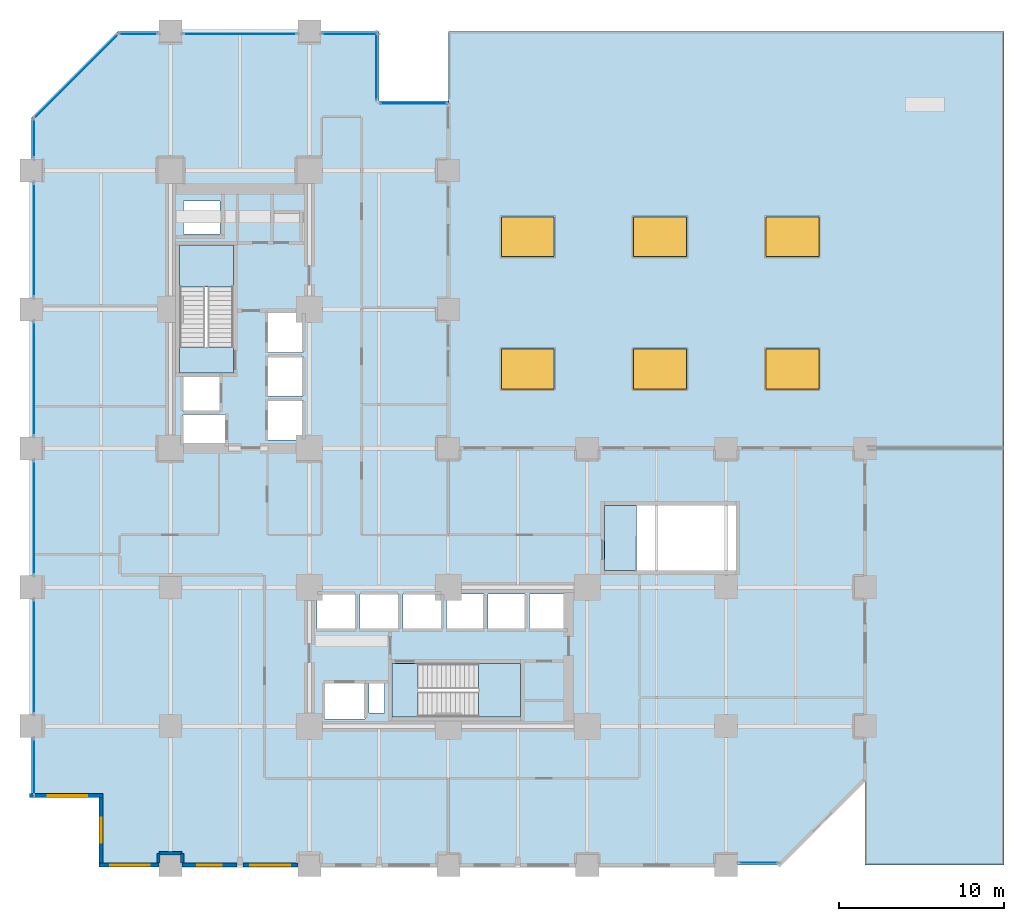
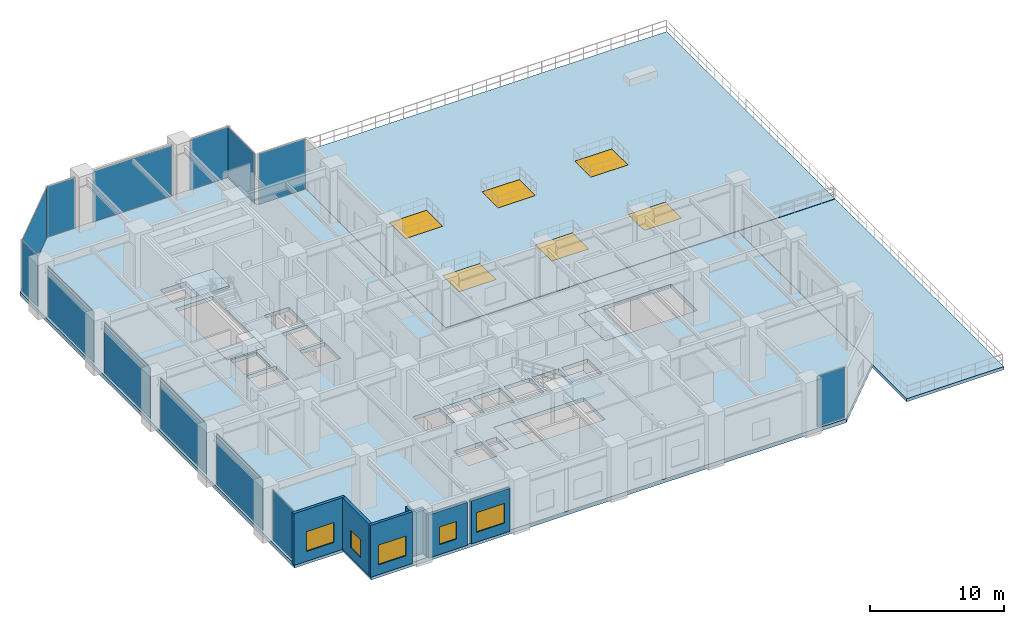
# One storey, part 12 of 21: 13 plates, 11 windows, 8 slabs, 8 walls, 11 openings, 15 elements without a shape of their own.
"""IFC4 building model written with IfcOpenShell, lengths in metres."""

from ifc_helpers import new_model, si_unit, direction, frame, frame_2d, origin, origin_2d, place, context, subcontext, project, spatial, polyline, rectangle, outline, extrude, material, layer, layer_set, type_object, element, fill, aggregate, save


model = new_model("IFC4")

# Units and contexts
model_context = context("Model", 3, precision=1e-05, world=origin(), true_north=direction((0.0, 1.0)))
body_context = subcontext(model_context, "Body", "Model", "MODEL_VIEW")
ifc_project = project(units=[si_unit("LENGTHUNIT", "METRE"), si_unit("AREAUNIT", "SQUARE_METRE"), si_unit("VOLUMEUNIT", "CUBIC_METRE"), si_unit("PLANEANGLEUNIT", "RADIAN"), si_unit("MASSUNIT", "GRAM", prefix="KILO")], contexts=[model_context])

# Site, building, storey
site_placement = place(None, origin())
site = spatial("IfcSite", under=ifc_project, at=site_placement, CompositionType="ELEMENT")
building_placement = place(site_placement, origin())
building = spatial("IfcBuilding", under=site, at=building_placement, Name="Nerrivon Quay Data Exchange", CompositionType="ELEMENT")
storey_placement = place(building_placement, frame((0.0, 0.0, 19.800048828125)))
storey = spatial("IfcBuildingStorey", under=building, at=storey_placement, Name="L04", CompositionType="ELEMENT", Elevation=19.800048828125)

# Curtain wall, plate
ifc_material_1 = material(Name="Anodised aluminium 6063-T6", Category="aluminium")
ifc_layer_1 = layer(ifc_material_1, 0.239990234375)
ifc_layer_set_1 = layer_set([ifc_layer_1], Name="Anodised aluminium 6063-T6")
curtain_wall_type = type_object("IfcCurtainWallType", Name="CW-SYS-03", PredefinedType="NOTDEFINED", material=ifc_layer_set_1)
curtain_wall_1_placement = place(storey_placement, origin())
curtain_wall_1 = element("IfcCurtainWall", 1, at=curtain_wall_1_placement, inside=storey, type_object=curtain_wall_type, Name="L04 Unitised Curtain Wall 2", PredefinedType="NOTDEFINED")
ifc_material_2 = material(Name="Double-glazed low-E solar control glass", Category="glass")
ifc_layer_2 = layer(ifc_material_2, 0.031982421875)
ifc_layer_set_2 = layer_set([ifc_layer_2], Name="Double-glazed low-E solar control glass")
plate_type = type_object("IfcPlateType", Name="CWP-GLZ-32", PredefinedType="CURTAIN_PANEL", material=ifc_layer_set_2)
plate_1_placement = place(storey_placement, frame((43.949951171875, 0.139892578125, 0.06494140625), z_axis=(0.0, 0.0, 1.0), x_axis=(-1.0, 0.0, 0.0)))
plate_1 = element("IfcPlate", 2, at=plate_1_placement, type_object=plate_type, Name="CW03 panel 1.1", PredefinedType="CURTAIN_PANEL", context=body_context, shape_type="SweptSolid", body=[
    extrude(rectangle(XDim=2.35009765625, YDim=0.028076171875, at=origin_2d()), origin(), (0.0, 0.0, 1.0), 4.594970703125),
])
aggregate(curtain_wall_1, [plate_1])

curtain_wall_2_placement = place(storey_placement, origin())
curtain_wall_2 = element("IfcCurtainWall", 3, at=curtain_wall_2_placement, inside=storey, type_object=curtain_wall_type, Name="L04 Unitised Curtain Wall 13", PredefinedType="NOTDEFINED")
plate_2_placement = place(storey_placement, frame((0.139892578125, 5.949951171875, 0.06494140625), z_axis=(0.0, 0.0, 1.0), x_axis=(0.0, 1.0, 0.0)))
plate_2 = element("IfcPlate", 4, at=plate_2_placement, type_object=plate_type, Name="CW03 panel 1.1", PredefinedType="CURTAIN_PANEL", context=body_context, shape_type="SweptSolid", body=[
    extrude(rectangle(XDim=3.35009765625, YDim=0.028076171875, at=origin_2d()), origin(), (0.0, 0.0, 1.0), 4.594970703125),
])
aggregate(curtain_wall_2, [plate_2])

curtain_wall_3_placement = place(storey_placement, origin())
curtain_wall_3 = element("IfcCurtainWall", 5, at=curtain_wall_3_placement, inside=storey, type_object=curtain_wall_type, Name="L04 Unitised Curtain Wall 14", PredefinedType="NOTDEFINED")
plate_3_placement = place(storey_placement, frame((0.139892578125, 12.60009765625, 0.06494140625), z_axis=(0.0, 0.0, 1.0), x_axis=(0.0, 1.0, 0.0)))
plate_3 = element("IfcPlate", 6, at=plate_3_placement, type_object=plate_type, Name="CW03 panel 1.1", PredefinedType="CURTAIN_PANEL", context=body_context, shape_type="SweptSolid", body=[
    extrude(rectangle(XDim=6.85009765625, YDim=0.028076171875, at=origin_2d()), origin(), (0.0, 0.0, 1.0), 4.594970703125),
])
aggregate(curtain_wall_3, [plate_3])

curtain_wall_4_placement = place(storey_placement, origin())
curtain_wall_4 = element("IfcCurtainWall", 7, at=curtain_wall_4_placement, inside=storey, type_object=curtain_wall_type, Name="L04 Unitised Curtain Wall 15", PredefinedType="NOTDEFINED")
plate_4_placement = place(storey_placement, frame((0.139892578125, 21.0, 0.06494140625), z_axis=(0.0, 0.0, 1.0), x_axis=(0.0, 1.0, 0.0)))
plate_4 = element("IfcPlate", 8, at=plate_4_placement, type_object=plate_type, Name="CW03 panel 1.1", PredefinedType="CURTAIN_PANEL", context=body_context, shape_type="SweptSolid", body=[
    extrude(rectangle(XDim=6.85009765625, YDim=0.028076171875, at=origin_2d()), origin(), (0.0, 0.0, 1.0), 4.594970703125),
])
aggregate(curtain_wall_4, [plate_4])

curtain_wall_5_placement = place(storey_placement, origin())
curtain_wall_5 = element("IfcCurtainWall", 9, at=curtain_wall_5_placement, inside=storey, type_object=curtain_wall_type, Name="L04 Unitised Curtain Wall 16", PredefinedType="NOTDEFINED")
plate_5_placement = place(storey_placement, frame((0.139892578125, 29.39990234375, 0.06494140625), z_axis=(0.0, 0.0, 1.0), x_axis=(0.0, 1.0, 0.0)))
plate_5 = element("IfcPlate", 10, at=plate_5_placement, type_object=plate_type, Name="CW03 panel 1.1", PredefinedType="CURTAIN_PANEL", context=body_context, shape_type="SweptSolid", body=[
    extrude(rectangle(XDim=6.85009765625, YDim=0.028076171875, at=origin_2d()), origin(), (0.0, 0.0, 1.0), 4.594970703125),
])
aggregate(curtain_wall_5, [plate_5])

curtain_wall_6_placement = place(storey_placement, origin())
curtain_wall_6 = element("IfcCurtainWall", 11, at=curtain_wall_6_placement, inside=storey, type_object=curtain_wall_type, Name="L04 Unitised Curtain Wall 17", PredefinedType="NOTDEFINED")
plate_6_placement = place(storey_placement, frame((0.139892578125, 37.800048828125, 0.06494140625), z_axis=(0.0, 0.0, 1.0), x_axis=(0.0, 1.0, 0.0)))
plate_6 = element("IfcPlate", 12, at=plate_6_placement, type_object=plate_type, Name="CW03 panel 1.1", PredefinedType="CURTAIN_PANEL", context=body_context, shape_type="SweptSolid", body=[
    extrude(rectangle(XDim=6.85009765625, YDim=0.028076171875, at=origin_2d()), origin(), (0.0, 0.0, 1.0), 4.594970703125),
])
aggregate(curtain_wall_6, [plate_6])

curtain_wall_7_placement = place(storey_placement, origin())
curtain_wall_7 = element("IfcCurtainWall", 13, at=curtain_wall_7_placement, inside=storey, type_object=curtain_wall_type, Name="L04 Unitised Curtain Wall 18", PredefinedType="NOTDEFINED")
plate_7_placement = place(storey_placement, frame((0.139892578125, 43.949951171875, 0.06494140625), z_axis=(0.0, 0.0, 1.0), x_axis=(0.0, 1.0, 0.0)))
plate_7 = element("IfcPlate", 14, at=plate_7_placement, type_object=plate_type, Name="CW03 panel 1.1", PredefinedType="CURTAIN_PANEL", context=body_context, shape_type="SweptSolid", body=[
    extrude(rectangle(XDim=2.35009765625, YDim=0.028076171875, at=origin_2d()), origin(), (0.0, 0.0, 1.0), 4.594970703125),
])
aggregate(curtain_wall_7, [plate_7])

curtain_wall_8_placement = place(storey_placement, origin())
curtain_wall_8 = element("IfcCurtainWall", 15, at=curtain_wall_8_placement, inside=storey, type_object=curtain_wall_type, Name="L04 Unitised Curtain Wall 19", PredefinedType="NOTDEFINED")
plate_8_placement = place(storey_placement, frame((2.698974609375, 47.700927734375, 0.06494140625), z_axis=(0.0, 0.0, 1.0), x_axis=(0.707106781187, 0.707106781187, 0.0)))
plate_8 = element("IfcPlate", 16, at=plate_8_placement, type_object=plate_type, Name="CW03 panel 1.1", PredefinedType="CURTAIN_PANEL", context=body_context, shape_type="SweptSolid", body=[
    extrude(rectangle(XDim=7.203857421875, YDim=0.028076171875, at=origin_2d()), origin(), (0.0, 0.0, 1.0), 4.594970703125),
])
aggregate(curtain_wall_8, [plate_8])

curtain_wall_9_placement = place(storey_placement, origin())
curtain_wall_9 = element("IfcCurtainWall", 17, at=curtain_wall_9_placement, inside=storey, type_object=curtain_wall_type, Name="L04 Unitised Curtain Wall 20", PredefinedType="NOTDEFINED")
plate_9_placement = place(storey_placement, frame((6.449951171875, 50.260009765625, 0.06494140625), z_axis=(0.0, 0.0, 1.0), x_axis=(1.0, 0.0, 0.0)))
plate_9 = element("IfcPlate", 18, at=plate_9_placement, type_object=plate_type, Name="CW03 panel 1.1", PredefinedType="CURTAIN_PANEL", context=body_context, shape_type="SweptSolid", body=[
    extrude(rectangle(XDim=2.35009765625, YDim=0.028076171875, at=origin_2d()), origin(), (0.0, 0.0, 1.0), 4.594970703125),
])
aggregate(curtain_wall_9, [plate_9])

curtain_wall_10_placement = place(storey_placement, origin())
curtain_wall_10 = element("IfcCurtainWall", 19, at=curtain_wall_10_placement, inside=storey, type_object=curtain_wall_type, Name="L04 Unitised Curtain Wall 21", PredefinedType="NOTDEFINED")
plate_10_placement = place(storey_placement, frame((12.60009765625, 50.260009765625, 0.06494140625), z_axis=(0.0, 0.0, 1.0), x_axis=(1.0, 0.0, 0.0)))
plate_10 = element("IfcPlate", 20, at=plate_10_placement, type_object=plate_type, Name="CW03 panel 1.1", PredefinedType="CURTAIN_PANEL", context=body_context, shape_type="SweptSolid", body=[
    extrude(rectangle(XDim=6.85009765625, YDim=0.028076171875, at=origin_2d()), origin(), (0.0, 0.0, 1.0), 4.594970703125),
])
aggregate(curtain_wall_10, [plate_10])

curtain_wall_11_placement = place(storey_placement, origin())
curtain_wall_11 = element("IfcCurtainWall", 21, at=curtain_wall_11_placement, inside=storey, type_object=curtain_wall_type, Name="L04 Unitised Curtain Wall 22", PredefinedType="NOTDEFINED")
plate_11_placement = place(storey_placement, frame((19.25, 50.260009765625, 0.06494140625), z_axis=(0.0, 0.0, 1.0), x_axis=(1.0, 0.0, 0.0)))
plate_11 = element("IfcPlate", 22, at=plate_11_placement, type_object=plate_type, Name="CW03 panel 1.1", PredefinedType="CURTAIN_PANEL", context=body_context, shape_type="SweptSolid", body=[
    extrude(rectangle(XDim=3.35009765625, YDim=0.028076171875, at=origin_2d()), origin(), (0.0, 0.0, 1.0), 4.594970703125),
])
aggregate(curtain_wall_11, [plate_11])

curtain_wall_12_placement = place(storey_placement, origin())
curtain_wall_12 = element("IfcCurtainWall", 23, at=curtain_wall_12_placement, inside=storey, type_object=curtain_wall_type, Name="L04 Unitised Curtain Wall 23", PredefinedType="NOTDEFINED")
plate_12_placement = place(storey_placement, frame((20.860107421875, 48.300048828125, 0.06494140625), z_axis=(0.0, 0.0, 1.0), x_axis=(0.0, -1.0, 0.0)))
plate_12 = element("IfcPlate", 24, at=plate_12_placement, type_object=plate_type, Name="CW03 panel 1.1", PredefinedType="CURTAIN_PANEL", context=body_context, shape_type="SweptSolid", body=[
    extrude(rectangle(XDim=4.050048828125, YDim=0.028076171875, at=origin_2d()), origin(), (0.0, 0.0, 1.0), 4.594970703125),
])
aggregate(curtain_wall_12, [plate_12])

curtain_wall_13_placement = place(storey_placement, origin())
curtain_wall_13 = element("IfcCurtainWall", 25, at=curtain_wall_13_placement, inside=storey, type_object=curtain_wall_type, Name="L04 Unitised Curtain Wall 24", PredefinedType="NOTDEFINED")
plate_13_placement = place(storey_placement, frame((23.10009765625, 46.06005859375, 0.06494140625), z_axis=(0.0, 0.0, 1.0), x_axis=(1.0, 0.0, 0.0)))
plate_13 = element("IfcPlate", 26, at=plate_13_placement, type_object=plate_type, Name="CW03 panel 1.1", PredefinedType="CURTAIN_PANEL", context=body_context, shape_type="SweptSolid", body=[
    extrude(rectangle(XDim=4.050048828125, YDim=0.028076171875, at=origin_2d()), origin(), (0.0, 0.0, 1.0), 4.594970703125),
])
aggregate(curtain_wall_13, [plate_13])

# Stair, slab
ifc_material_3 = material(Name="Concrete N50 (50 MPa)", Category="concrete")
stair_type = type_object("IfcStairType", Name="STAIR-DOG-50", PredefinedType="HALF_TURN_STAIR", material=ifc_material_3)
stair_1_placement = place(storey_placement, origin())
stair_1 = element("IfcStair", 27, at=stair_1_placement, inside=storey, type_object=stair_type, Name="L04 West Core Fire Stair ST01", PredefinedType="HALF_TURN_STAIR")
ifc_layer_3 = layer(ifc_material_3, 0.199951171875)
ifc_layer_set_3 = layer_set([ifc_layer_3], Name="Concrete N50 (50 MPa)")
slab_type_1 = type_object("IfcSlabType", Name="SLB-LAND-200", PredefinedType="LANDING", material=ifc_layer_set_3)
slab_1_placement = place(storey_placement, frame((0.0, 0.0, 2.300048828125)))
slab_1 = element("IfcSlab", 28, at=slab_1_placement, type_object=slab_type_1, Name="ST01 landing 1", PredefinedType="LANDING", context=body_context, shape_type="SweptSolid", body=[
    extrude(outline(polyline([(12.199951171875, 34.969970703125), (12.199951171875, 37.5), (8.949951171875, 37.5), (8.949951171875, 34.969970703125), (12.199951171875, 34.969970703125)])), origin(), (0.0, 0.0, 1.0), 0.199951171875),
])
aggregate(stair_1, [slab_1])

# Slab
slab_2_placement = place(storey_placement, frame((0.0, 0.0, -0.199951171875)))
element("IfcSlab", 29, at=slab_2_placement, inside=storey, type_object=slab_type_1, Name="L04 ST01 floor landing", PredefinedType="LANDING", context=body_context, shape_type="SweptSolid", body=[
    extrude(outline(polyline([(12.199951171875, 29.75), (12.199951171875, 31.330078125), (8.949951171875, 31.330078125), (8.949951171875, 29.75), (12.199951171875, 29.75)])), origin(), (0.0, 0.0, 1.0), 0.199951171875),
])

# Stair, slab
stair_2_placement = place(storey_placement, origin())
stair_2 = element("IfcStair", 30, at=stair_2_placement, inside=storey, type_object=stair_type, Name="L04 East Core Fire Stair ST02", PredefinedType="HALF_TURN_STAIR")
slab_3_placement = place(storey_placement, frame((0.0, 0.0, 2.300048828125)))
slab_3 = element("IfcSlab", 31, at=slab_3_placement, type_object=slab_type_1, Name="ST02 landing 1", PredefinedType="LANDING", context=body_context, shape_type="SweptSolid", body=[
    extrude(outline(polyline([(27.02001953125, 8.949951171875), (29.550048828125, 8.949951171875), (29.550048828125, 12.199951171875), (27.02001953125, 12.199951171875), (27.02001953125, 8.949951171875)])), origin(), (0.0, 0.0, 1.0), 0.199951171875),
])
aggregate(stair_2, [slab_3])

# Slabs
slab_4_placement = place(storey_placement, frame((0.0, 0.0, -0.199951171875)))
element("IfcSlab", 32, at=slab_4_placement, inside=storey, type_object=slab_type_1, Name="L04 ST02 floor landing", PredefinedType="LANDING", context=body_context, shape_type="SweptSolid", body=[
    extrude(outline(polyline([(21.800048828125, 8.949951171875), (23.3798828125, 8.949951171875), (23.3798828125, 12.199951171875), (21.800048828125, 12.199951171875), (21.800048828125, 8.949951171875)])), origin(), (0.0, 0.0, 1.0), 0.199951171875),
])
slab_5_placement = place(storey_placement, frame((0.0, 0.0, -0.199951171875)))
element("IfcSlab", 33, at=slab_5_placement, inside=storey, type_object=slab_type_1, Name="L04 ST03 floor landing", PredefinedType="LANDING", context=body_context, shape_type="SweptSolid", body=[
    extrude(outline(polyline([(34.64990234375, 17.800048828125), (36.570068359375, 17.800048828125), (36.570068359375, 21.75), (34.64990234375, 21.75), (34.64990234375, 17.800048828125)])), origin(), (0.0, 0.0, 1.0), 0.199951171875),
])

# Slab, openings, windows
ifc_layer_4 = layer(ifc_material_3, 0.280029296875)
ifc_layer_set_4 = layer_set([ifc_layer_4], Name="Concrete N50 (50 MPa)")
slab_type_2 = type_object("IfcSlabType", Name="SLB-TERR-280", PredefinedType="FLOOR", material=ifc_layer_set_4)
slab_6_placement = place(storey_placement, frame((0.0, 0.0, -0.280029296875)))
slab_6 = element("IfcSlab", 34, at=slab_6_placement, inside=storey, type_object=slab_type_2, Name="Podium Sky-Garden Terrace 1", PredefinedType="FLOOR", context=body_context, shape_type="SweptSolid", body=[
    extrude(outline(polyline([(58.800048828125, 25.239990234375), (58.800048828125, 50.39990234375), (25.199951171875, 50.39990234375), (25.199951171875, 25.239990234375), (58.800048828125, 25.239990234375)])), origin(), (0.0, 0.0, 1.0), 0.280029296875),
])
opening_1_placement = place(slab_6_placement, frame((30.0, 30.0, -0.010009765625)))
opening_1 = element("IfcOpeningElement", 35, at=opening_1_placement, cuts=slab_6, Name="Opening SK1", PredefinedType="OPENING", context=body_context, shape_type="SweptSolid", body=[
    extrude(rectangle(XDim=3.199951171875, YDim=2.39990234375, at=origin_2d()), origin(), (0.0, 0.0, 1.0), 0.300048828125),
])
opening_2_placement = place(slab_6_placement, frame((38.0, 30.0, -0.010009765625)))
opening_2 = element("IfcOpeningElement", 36, at=opening_2_placement, cuts=slab_6, Name="Opening SK1", PredefinedType="OPENING", context=body_context, shape_type="SweptSolid", body=[
    extrude(rectangle(XDim=3.199951171875, YDim=2.39990234375, at=origin_2d()), origin(), (0.0, 0.0, 1.0), 0.300048828125),
])
opening_3_placement = place(slab_6_placement, frame((46.0, 30.0, -0.010009765625)))
opening_3 = element("IfcOpeningElement", 37, at=opening_3_placement, cuts=slab_6, Name="Opening SK1", PredefinedType="OPENING", context=body_context, shape_type="SweptSolid", body=[
    extrude(rectangle(XDim=3.199951171875, YDim=2.39990234375, at=origin_2d()), origin(), (0.0, 0.0, 1.0), 0.300048828125),
])
opening_4_placement = place(slab_6_placement, frame((30.0, 38.0, -0.010009765625)))
opening_4 = element("IfcOpeningElement", 38, at=opening_4_placement, cuts=slab_6, Name="Opening SK1", PredefinedType="OPENING", context=body_context, shape_type="SweptSolid", body=[
    extrude(rectangle(XDim=3.199951171875, YDim=2.39990234375, at=origin_2d()), origin(), (0.0, 0.0, 1.0), 0.300048828125),
])
opening_5_placement = place(slab_6_placement, frame((38.0, 38.0, -0.010009765625)))
opening_5 = element("IfcOpeningElement", 39, at=opening_5_placement, cuts=slab_6, Name="Opening SK1", PredefinedType="OPENING", context=body_context, shape_type="SweptSolid", body=[
    extrude(rectangle(XDim=3.199951171875, YDim=2.39990234375, at=origin_2d()), origin(), (0.0, 0.0, 1.0), 0.300048828125),
])
opening_6_placement = place(slab_6_placement, frame((46.0, 38.0, -0.010009765625)))
opening_6 = element("IfcOpeningElement", 40, at=opening_6_placement, cuts=slab_6, Name="Opening SK1", PredefinedType="OPENING", context=body_context, shape_type="SweptSolid", body=[
    extrude(rectangle(XDim=3.199951171875, YDim=2.39990234375, at=origin_2d()), origin(), (0.0, 0.0, 1.0), 0.300048828125),
])
window_type_1 = type_object("IfcWindowType", Name="SKY-S1-3200x2400", PartitioningType="SINGLE_PANEL", PredefinedType="SKYLIGHT", material=ifc_material_2)
window_1_placement = place(opening_1_placement, frame((0.0, 0.0, 0.239990234375)))
window_1 = element("IfcWindow", 41, at=window_1_placement, inside=storey, type_object=window_type_1, Name="Podium Exchange Atrium Skylight SK1-1", OverallHeight=2.39990234375, OverallWidth=3.199951171875, PartitioningType="SINGLE_PANEL", PredefinedType="SKYLIGHT", context=body_context, shape_type="SweptSolid", body=[
    extrude(rectangle(XDim=3.199951171875, YDim=2.39990234375, at=origin_2d()), origin(), (0.0, 0.0, 1.0), 0.050048828125),
])
fill(opening_1, window_1)
window_2_placement = place(opening_2_placement, frame((0.0, 0.0, 0.239990234375)))
window_2 = element("IfcWindow", 42, at=window_2_placement, inside=storey, type_object=window_type_1, Name="Podium Exchange Atrium Skylight SK1-2", OverallHeight=2.39990234375, OverallWidth=3.199951171875, PartitioningType="SINGLE_PANEL", PredefinedType="SKYLIGHT", context=body_context, shape_type="SweptSolid", body=[
    extrude(rectangle(XDim=3.199951171875, YDim=2.39990234375, at=origin_2d()), origin(), (0.0, 0.0, 1.0), 0.050048828125),
])
fill(opening_2, window_2)
window_3_placement = place(opening_3_placement, frame((0.0, 0.0, 0.239990234375)))
window_3 = element("IfcWindow", 43, at=window_3_placement, inside=storey, type_object=window_type_1, Name="Podium Exchange Atrium Skylight SK1-3", OverallHeight=2.39990234375, OverallWidth=3.199951171875, PartitioningType="SINGLE_PANEL", PredefinedType="SKYLIGHT", context=body_context, shape_type="SweptSolid", body=[
    extrude(rectangle(XDim=3.199951171875, YDim=2.39990234375, at=origin_2d()), origin(), (0.0, 0.0, 1.0), 0.050048828125),
])
fill(opening_3, window_3)
window_4_placement = place(opening_4_placement, frame((0.0, 0.0, 0.239990234375)))
window_4 = element("IfcWindow", 44, at=window_4_placement, inside=storey, type_object=window_type_1, Name="Podium Exchange Atrium Skylight SK1-4", OverallHeight=2.39990234375, OverallWidth=3.199951171875, PartitioningType="SINGLE_PANEL", PredefinedType="SKYLIGHT", context=body_context, shape_type="SweptSolid", body=[
    extrude(rectangle(XDim=3.199951171875, YDim=2.39990234375, at=origin_2d()), origin(), (0.0, 0.0, 1.0), 0.050048828125),
])
fill(opening_4, window_4)
window_5_placement = place(opening_5_placement, frame((0.0, 0.0, 0.239990234375)))
window_5 = element("IfcWindow", 45, at=window_5_placement, inside=storey, type_object=window_type_1, Name="Podium Exchange Atrium Skylight SK1-5", OverallHeight=2.39990234375, OverallWidth=3.199951171875, PartitioningType="SINGLE_PANEL", PredefinedType="SKYLIGHT", context=body_context, shape_type="SweptSolid", body=[
    extrude(rectangle(XDim=3.199951171875, YDim=2.39990234375, at=origin_2d()), origin(), (0.0, 0.0, 1.0), 0.050048828125),
])
fill(opening_5, window_5)
window_6_placement = place(opening_6_placement, frame((0.0, 0.0, 0.239990234375)))
window_6 = element("IfcWindow", 46, at=window_6_placement, inside=storey, type_object=window_type_1, Name="Podium Exchange Atrium Skylight SK1-6", OverallHeight=2.39990234375, OverallWidth=3.199951171875, PartitioningType="SINGLE_PANEL", PredefinedType="SKYLIGHT", context=body_context, shape_type="SweptSolid", body=[
    extrude(rectangle(XDim=3.199951171875, YDim=2.39990234375, at=origin_2d()), origin(), (0.0, 0.0, 1.0), 0.050048828125),
])
fill(opening_6, window_6)

# Slabs
slab_7_placement = place(storey_placement, frame((0.0, 0.0, -0.280029296875)))
element("IfcSlab", 47, at=slab_7_placement, inside=storey, type_object=slab_type_2, Name="Podium Sky-Garden Terrace 2", PredefinedType="FLOOR", context=body_context, shape_type="SweptSolid", body=[
    extrude(outline(polyline([(58.800048828125, 0.0), (58.800048828125, 25.199951171875), (50.39990234375, 25.199951171875), (50.39990234375, 0.0), (58.800048828125, 0.0)])), origin(), (0.0, 0.0, 1.0), 0.280029296875),
])
ifc_material_4 = material(Name="Concrete S65 (65 MPa)", Category="concrete")
ifc_layer_5 = layer(ifc_material_4, 0.35009765625)
ifc_layer_set_5 = layer_set([ifc_layer_5], Name="Concrete S65 (65 MPa)")
slab_type_3 = type_object("IfcSlabType", Name="SLB-TRANS-350", PredefinedType="FLOOR", material=ifc_layer_set_5)
slab_8_placement = place(storey_placement, frame((0.0, 0.0, -0.35009765625)))
element("IfcSlab", 48, at=slab_8_placement, inside=storey, type_object=slab_type_3, Name="L04 Primary Structural Slab", PredefinedType="FLOOR", context=body_context, shape_type="SweptSolid", body=[
    extrude(outline(polyline([(50.39990234375, 25.199951171875), (25.199951171875, 25.199951171875), (25.199951171875, 46.199951171875), (21.0, 46.199951171875), (21.0, 50.39990234375), (5.199951171875, 50.39990234375), (0.0, 45.199951171875), (0.0, 4.199951171875), (4.199951171875, 4.199951171875), (4.199951171875, 0.0), (45.199951171875, 0.0), (50.39990234375, 5.199951171875), (50.39990234375, 25.199951171875)]), holes=[polyline([(8.949951171875, 29.75), (8.949951171875, 37.5), (12.199951171875, 37.5), (12.199951171875, 29.75), (8.949951171875, 29.75)]), polyline([(21.800048828125, 12.199951171875), (29.550048828125, 12.199951171875), (29.550048828125, 8.949951171875), (21.800048828125, 8.949951171875), (21.800048828125, 12.199951171875)]), polyline([(34.64990234375, 21.75), (42.60009765625, 21.75), (42.60009765625, 17.800048828125), (34.64990234375, 17.800048828125), (34.64990234375, 21.75)]), polyline([(30.10009765625, 16.39990234375), (32.35009765625, 16.39990234375), (32.35009765625, 14.25), (30.10009765625, 14.25), (30.10009765625, 16.39990234375)]), polyline([(27.60009765625, 16.39990234375), (29.85009765625, 16.39990234375), (29.85009765625, 14.25), (27.60009765625, 14.25), (27.60009765625, 16.39990234375)]), polyline([(25.10009765625, 16.39990234375), (27.35009765625, 16.39990234375), (27.35009765625, 14.25), (25.10009765625, 14.25), (25.10009765625, 16.39990234375)]), polyline([(22.449951171875, 16.39990234375), (24.800048828125, 16.39990234375), (24.800048828125, 14.25), (22.449951171875, 14.25), (22.449951171875, 16.39990234375)]), polyline([(19.85009765625, 16.39990234375), (22.199951171875, 16.39990234375), (22.199951171875, 14.25), (19.85009765625, 14.25), (19.85009765625, 16.39990234375)]), polyline([(20.39990234375, 11.0), (21.35009765625, 11.0), (21.35009765625, 9.199951171875), (20.39990234375, 9.199951171875), (20.39990234375, 11.0)]), polyline([(17.699951171875, 8.830078125), (17.699951171875, 11.030029296875), (20.14990234375, 11.030029296875), (20.14990234375, 8.830078125), (17.699951171875, 8.830078125)]), polyline([(17.25, 14.25), (17.25, 16.39990234375), (19.60009765625, 16.39990234375), (19.60009765625, 14.25), (17.25, 14.25)]), polyline([(14.25, 28.10009765625), (16.39990234375, 28.10009765625), (16.39990234375, 25.699951171875), (14.25, 25.699951171875), (14.25, 28.10009765625)]), polyline([(14.25, 30.75), (16.39990234375, 30.75), (16.39990234375, 28.35009765625), (14.25, 28.35009765625), (14.25, 30.75)]), polyline([(14.25, 33.39990234375), (16.39990234375, 33.39990234375), (16.39990234375, 31.0), (14.25, 31.0), (14.25, 33.39990234375)]), polyline([(9.14990234375, 27.25), (11.75, 27.25), (11.75, 25.35009765625), (9.14990234375, 25.35009765625), (9.14990234375, 27.25)]), polyline([(9.14990234375, 29.60009765625), (11.39990234375, 29.60009765625), (11.39990234375, 27.449951171875), (9.14990234375, 27.449951171875), (9.14990234375, 29.60009765625)]), polyline([(9.199951171875, 40.14990234375), (11.39990234375, 40.14990234375), (11.39990234375, 38.14990234375), (9.199951171875, 38.14990234375), (9.199951171875, 40.14990234375)])]), origin(), (0.0, 0.0, 1.0), 0.35009765625),
])

# Wall, opening, window
ifc_material_5 = material(Name="Architectural terracotta precast concrete N50 (50 MPa)", Category="masonry")
ifc_layer_6 = layer(ifc_material_5, 0.239990234375)
ifc_layer_set_6 = layer_set([ifc_layer_6], Name="Architectural terracotta precast concrete N50 (50 MPa)")
wall_type_1 = type_object("IfcWallType", Name="EW-PREC-240", PredefinedType="STANDARD", material=ifc_layer_set_6)
wall_1_placement = place(storey_placement, frame((16.10009765625, 0.0, 0.0), z_axis=(0.0, 0.0, 1.0), x_axis=(-1.0, 0.0, 0.0)))
wall_1 = element("IfcWall", 49, at=wall_1_placement, inside=storey, type_object=wall_type_1, Name="L04 Podium Precast Spandrel Wall 8", PredefinedType="STANDARD", context=body_context, shape_type="SweptSolid", body=[
    extrude(rectangle(XDim=3.3251953125, YDim=0.239990234375, at=frame_2d((1.66259765625, 0.0))), origin(), (0.0, 0.0, 1.0), 3.925048828125),
])
opening_7_placement = place(wall_1_placement, frame((0.46240234375, 0.0, 0.89990234375)))
opening_7 = element("IfcOpeningElement", 50, at=opening_7_placement, cuts=wall_1, Name="Opening WN1", PredefinedType="OPENING", context=body_context, shape_type="SweptSolid", body=[
    extrude(rectangle(XDim=2.39990234375, YDim=1.800048828125, at=frame_2d((1.199951171875, 0.89990234375))), frame((0.0, 0.1298828125, 0.0), z_axis=(0.0, -1.0, 0.0), x_axis=(1.0, 0.0, 0.0)), (0.0, 0.0, 1.0), 0.260009765625),
])
window_type_2 = type_object("IfcWindowType", Name="WIN-W1-2400x1800", PartitioningType="SINGLE_PANEL", PredefinedType="WINDOW", material=ifc_material_2)
window_7_placement = place(opening_7_placement, origin())
window_7 = element("IfcWindow", 51, at=window_7_placement, inside=storey, type_object=window_type_2, Name="L04 Solar Facade Window 8", OverallHeight=1.800048828125, OverallWidth=2.39990234375, PartitioningType="SINGLE_PANEL", PredefinedType="WINDOW", context=body_context, shape_type="SweptSolid", body=[
    extrude(rectangle(XDim=2.39990234375, YDim=1.800048828125, at=frame_2d((1.199951171875, 0.89990234375))), frame((0.0, 0.030029296875, 0.0), z_axis=(0.0, -1.0, 0.0), x_axis=(1.0, 0.0, 0.0)), (0.0, 0.0, 1.0), 0.06005859375),
])
fill(opening_7, window_7)

wall_2_placement = place(storey_placement, frame((12.425048828125, 0.0, 0.0), z_axis=(0.0, 0.0, 1.0), x_axis=(-1.0, 0.0, 0.0)))
wall_2 = element("IfcWall", 52, at=wall_2_placement, inside=storey, type_object=wall_type_1, Name="L04 Podium Precast Spandrel Wall 9", PredefinedType="STANDARD", context=body_context, shape_type="SweptSolid", body=[
    extrude(rectangle(XDim=3.324951171875, YDim=0.239990234375, at=frame_2d((1.66259765625, 0.0))), origin(), (0.0, 0.0, 1.0), 3.925048828125),
])
opening_8_placement = place(wall_2_placement, frame((0.91259765625, 0.0, 0.89990234375)))
opening_8 = element("IfcOpeningElement", 53, at=opening_8_placement, cuts=wall_2, Name="Opening WN4", PredefinedType="OPENING", context=body_context, shape_type="SweptSolid", body=[
    extrude(rectangle(XDim=1.5, YDim=1.60009765625, at=frame_2d((0.75, 0.800048828125))), frame((0.0, 0.1298828125, 0.0), z_axis=(0.0, -1.0, 0.0), x_axis=(1.0, 0.0, 0.0)), (0.0, 0.0, 1.0), 0.260009765625),
])
window_type_3 = type_object("IfcWindowType", Name="WIN-W4-1500x1600", PartitioningType="SINGLE_PANEL", PredefinedType="WINDOW", material=ifc_material_2)
window_8_placement = place(opening_8_placement, origin())
window_8 = element("IfcWindow", 54, at=window_8_placement, inside=storey, type_object=window_type_3, Name="L04 Solar Facade Window 9", OverallHeight=1.60009765625, OverallWidth=1.5, PartitioningType="SINGLE_PANEL", PredefinedType="WINDOW", context=body_context, shape_type="SweptSolid", body=[
    extrude(rectangle(XDim=1.5, YDim=1.60009765625, at=frame_2d((0.75, 0.800048828125))), frame((0.0, 0.030029296875, 0.0), z_axis=(0.0, -1.0, 0.0), x_axis=(1.0, 0.0, 0.0)), (0.0, 0.0, 1.0), 0.06005859375),
])
fill(opening_8, window_8)

wall_3_placement = place(storey_placement, frame((7.699951171875, 0.0, 0.0), z_axis=(0.0, 0.0, 1.0), x_axis=(-1.0, 0.0, 0.0)))
wall_3 = element("IfcWall", 55, at=wall_3_placement, inside=storey, type_object=wall_type_1, Name="L04 Podium Precast Spandrel Wall 10", PredefinedType="STANDARD", context=body_context, shape_type="SweptSolid", body=[
    extrude(rectangle(XDim=3.619873046875, YDim=0.239990234375, at=frame_2d((1.81005859375, 0.0))), origin(), (0.0, 0.0, 1.0), 4.724853515625),
])
opening_9_placement = place(wall_3_placement, frame((0.544921875, 0.0, 0.89990234375)))
opening_9 = element("IfcOpeningElement", 56, at=opening_9_placement, cuts=wall_3, Name="Opening WN1", PredefinedType="OPENING", context=body_context, shape_type="SweptSolid", body=[
    extrude(rectangle(XDim=2.39990234375, YDim=1.800048828125, at=frame_2d((1.199951171875, 0.89990234375))), frame((0.0, 0.1298828125, 0.0), z_axis=(0.0, -1.0, 0.0), x_axis=(1.0, 0.0, 0.0)), (0.0, 0.0, 1.0), 0.260009765625),
])
window_9_placement = place(opening_9_placement, origin())
window_9 = element("IfcWindow", 57, at=window_9_placement, inside=storey, type_object=window_type_2, Name="L04 Solar Facade Window 10", OverallHeight=1.800048828125, OverallWidth=2.39990234375, PartitioningType="SINGLE_PANEL", PredefinedType="WINDOW", context=body_context, shape_type="SweptSolid", body=[
    extrude(rectangle(XDim=2.39990234375, YDim=1.800048828125, at=frame_2d((1.199951171875, 0.89990234375))), frame((0.0, 0.030029296875, 0.0), z_axis=(0.0, -1.0, 0.0), x_axis=(1.0, 0.0, 0.0)), (0.0, 0.0, 1.0), 0.06005859375),
])
fill(opening_9, window_9)

wall_4_placement = place(storey_placement, frame((4.199951171875, 0.1201171875, 0.0), z_axis=(0.0, 0.0, 1.0), x_axis=(0.0, 1.0, 0.0)))
wall_4 = element("IfcWall", 58, at=wall_4_placement, inside=storey, type_object=wall_type_1, Name="L04 Podium Precast Spandrel Wall 11", PredefinedType="STANDARD", context=body_context, shape_type="SweptSolid", body=[
    extrude(rectangle(XDim=3.9599609375, YDim=0.239990234375, at=frame_2d((1.97998046875, 0.0))), origin(), (0.0, 0.0, 1.0), 4.724853515625),
])
opening_10_placement = place(wall_4_placement, frame((1.22998046875, 0.0, 0.89990234375)))
opening_10 = element("IfcOpeningElement", 59, at=opening_10_placement, cuts=wall_4, Name="Opening WN4", PredefinedType="OPENING", context=body_context, shape_type="SweptSolid", body=[
    extrude(rectangle(XDim=1.5, YDim=1.60009765625, at=frame_2d((0.75, 0.800048828125))), frame((0.0, 0.1298828125, 0.0), z_axis=(0.0, -1.0, 0.0), x_axis=(1.0, 0.0, 0.0)), (0.0, 0.0, 1.0), 0.260009765625),
])
window_10_placement = place(opening_10_placement, origin())
window_10 = element("IfcWindow", 60, at=window_10_placement, inside=storey, type_object=window_type_3, Name="L04 Solar Facade Window 11", OverallHeight=1.60009765625, OverallWidth=1.5, PartitioningType="SINGLE_PANEL", PredefinedType="WINDOW", context=body_context, shape_type="SweptSolid", body=[
    extrude(rectangle(XDim=1.5, YDim=1.60009765625, at=frame_2d((0.75, 0.800048828125))), frame((0.0, 0.030029296875, 0.0), z_axis=(0.0, -1.0, 0.0), x_axis=(1.0, 0.0, 0.0)), (0.0, 0.0, 1.0), 0.06005859375),
])
fill(opening_10, window_10)

wall_5_placement = place(storey_placement, frame((4.320068359375, 4.199951171875, 0.0), z_axis=(0.0, 0.0, 1.0), x_axis=(-1.0, 0.0, 0.0)))
wall_5 = element("IfcWall", 61, at=wall_5_placement, inside=storey, type_object=wall_type_1, Name="L04 Podium Precast Spandrel Wall 12", PredefinedType="STANDARD", context=body_context, shape_type="SweptSolid", body=[
    extrude(rectangle(XDim=4.440185546875, YDim=0.239990234375, at=frame_2d((2.22021484375, 0.0))), origin(), (0.0, 0.0, 1.0), 4.724853515625),
])
opening_11_placement = place(wall_5_placement, frame((0.955078125, 0.0, 0.89990234375)))
opening_11 = element("IfcOpeningElement", 62, at=opening_11_placement, cuts=wall_5, Name="Opening WN1", PredefinedType="OPENING", context=body_context, shape_type="SweptSolid", body=[
    extrude(rectangle(XDim=2.39990234375, YDim=1.800048828125, at=frame_2d((1.199951171875, 0.89990234375))), frame((0.0, 0.1298828125, 0.0), z_axis=(0.0, -1.0, 0.0), x_axis=(1.0, 0.0, 0.0)), (0.0, 0.0, 1.0), 0.260009765625),
])
window_11_placement = place(opening_11_placement, origin())
window_11 = element("IfcWindow", 63, at=window_11_placement, inside=storey, type_object=window_type_2, Name="L04 Solar Facade Window 12", OverallHeight=1.800048828125, OverallWidth=2.39990234375, PartitioningType="SINGLE_PANEL", PredefinedType="WINDOW", context=body_context, shape_type="SweptSolid", body=[
    extrude(rectangle(XDim=2.39990234375, YDim=1.800048828125, at=frame_2d((1.199951171875, 0.89990234375))), frame((0.0, 0.030029296875, 0.0), z_axis=(0.0, -1.0, 0.0), x_axis=(1.0, 0.0, 0.0)), (0.0, 0.0, 1.0), 0.06005859375),
])
fill(opening_11, window_11)

# Walls
ifc_material_6 = material(Name="Gypsum plasterboard on cold-formed framing", Category="gypsum")
ifc_layer_7 = layer(ifc_material_6, 0.199951171875)
ifc_layer_set_7 = layer_set([ifc_layer_7], Name="Gypsum plasterboard on cold-formed framing")
wall_type_2 = type_object("IfcWallType", Name="WALL-FW-200", PredefinedType="PARTITIONING", material=ifc_layer_set_7)
wall_6_placement = place(storey_placement, frame((7.679931640625, 0.1240234375, 0.0), z_axis=(0.0, 0.0, 1.0), x_axis=(0.0, 1.0, 0.0)))
element("IfcWall", 64, at=wall_6_placement, inside=storey, type_object=wall_type_2, Name="L04 Partition Colocation Data Workspace 1", PredefinedType="PARTITIONING", context=body_context, shape_type="SweptSolid", body=[
    extrude(rectangle(XDim=0.575927734375, YDim=0.199951171875, at=frame_2d((0.2880859375, 0.0))), origin(), (0.0, 0.0, 1.0), 4.724853515625),
])
wall_7_placement = place(storey_placement, frame((7.699951171875, 0.719970703125, 0.0), z_axis=(0.0, 0.0, 1.0), x_axis=(1.0, 0.0, 0.0)))
element("IfcWall", 65, at=wall_7_placement, inside=storey, type_object=wall_type_2, Name="L04 Partition Colocation Data Workspace 1", PredefinedType="PARTITIONING", context=body_context, shape_type="SweptSolid", body=[
    extrude(rectangle(XDim=1.400146484375, YDim=0.199951171875, at=frame_2d((0.7001953125, 0.0))), origin(), (0.0, 0.0, 1.0), 4.113037109375),
])
wall_8_placement = place(storey_placement, frame((9.1201171875, 0.699951171875, 0.0), z_axis=(0.0, 0.0, 1.0), x_axis=(0.0, -1.0, 0.0)))
element("IfcWall", 66, at=wall_8_placement, inside=storey, type_object=wall_type_2, Name="L04 Partition Colocation Data Workspace 1", PredefinedType="PARTITIONING", context=body_context, shape_type="SweptSolid", body=[
    extrude(rectangle(XDim=0.575927734375, YDim=0.199951171875, at=frame_2d((0.2880859375, 0.0))), origin(), (0.0, 0.0, 1.0), 3.925048828125),
])

save(model, "model.ifc")
